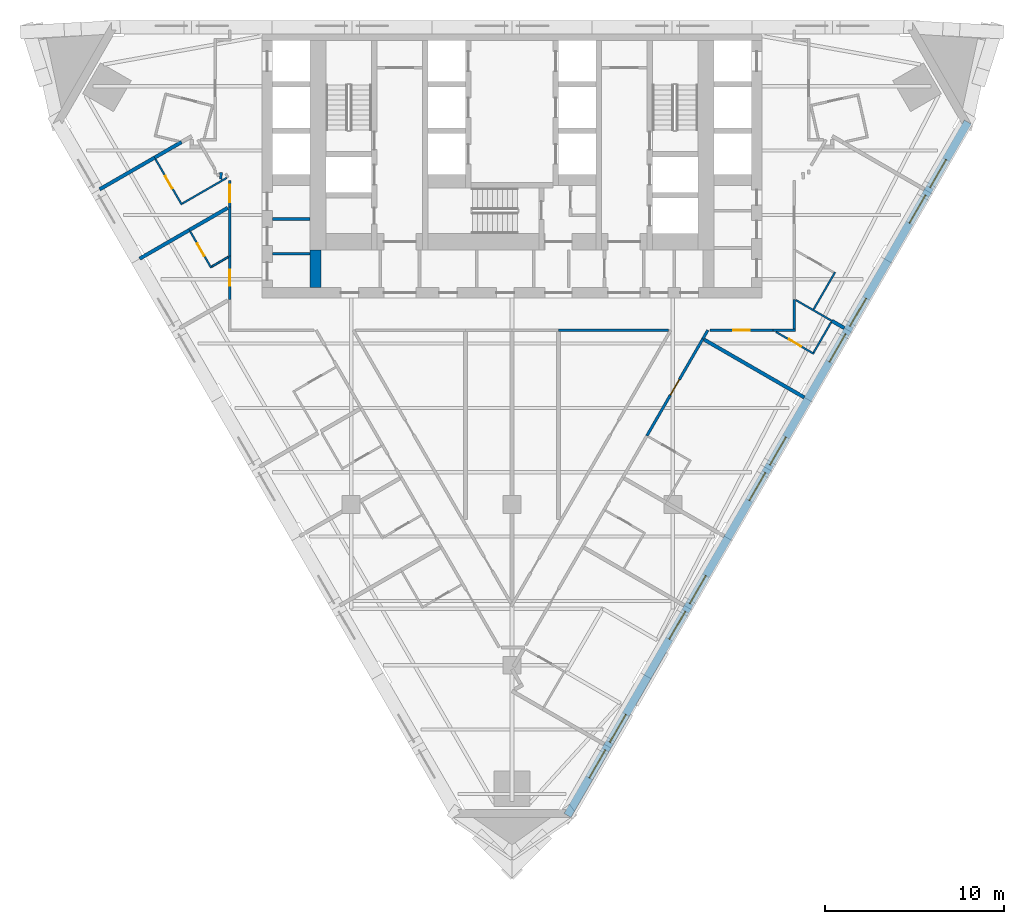
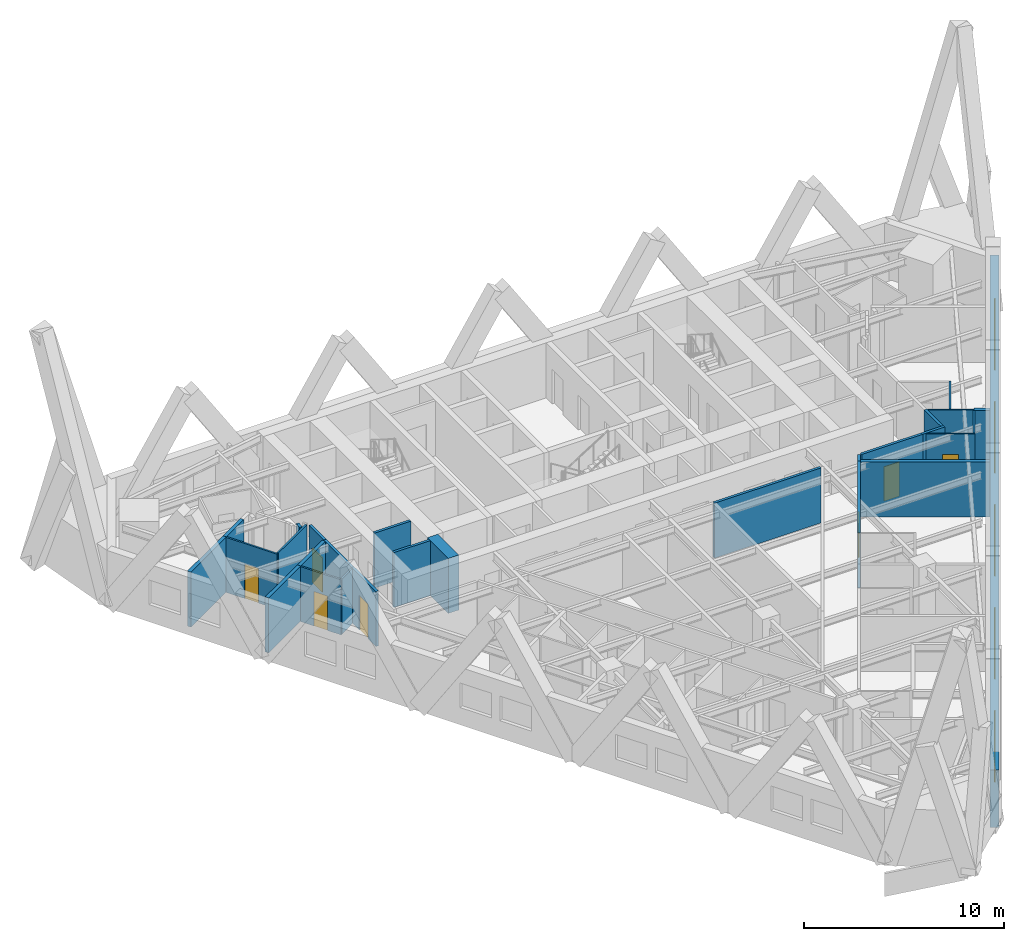
# One storey, part 5 of 11: 28 walls, 10 windows, 7 doors, 17 openings.
"""IFC4 building model written with IfcOpenShell, lengths in metres."""

from ifc_helpers import new_model, si_unit, direction, frame, frame_2d, origin, place, context, subcontext, project, spatial, polyline, rectangle, outline, extrude, material, layer, layer_set, type_object, element, fill, save


model = new_model("IFC4")

# Units and contexts
model_context = context("Model", 3, precision=1e-05, world=origin(), true_north=direction((0.0, 1.0)))
body_context = subcontext(model_context, "Body", "Model", "MODEL_VIEW")
ifc_project = project(units=[si_unit("LENGTHUNIT", "METRE"), si_unit("AREAUNIT", "SQUARE_METRE"), si_unit("VOLUMEUNIT", "CUBIC_METRE"), si_unit("PLANEANGLEUNIT", "RADIAN"), si_unit("MASSUNIT", "GRAM", prefix="KILO")], contexts=[model_context])

# Site, building, storey
site_placement = place(None, origin())
site = spatial("IfcSite", under=ifc_project, at=site_placement, CompositionType="ELEMENT")
building_placement = place(site_placement, origin())
building = spatial("IfcBuilding", under=site, at=building_placement, Name="Aloe Facet Convention Tower", CompositionType="ELEMENT")
storey_placement = place(building_placement, frame((0.0, 0.0, 63.0)))
storey = spatial("IfcBuildingStorey", under=building, at=storey_placement, Name="L14", CompositionType="ELEMENT", Elevation=63.0)

# Walls
ifc_material_1 = material(Name="Concrete blockwork partition", Category="masonry")
ifc_layer_1 = layer(ifc_material_1, 0.14990234375)
ifc_layer_set_1 = layer_set([ifc_layer_1], Name="CR-W-PART150")
wall_type_1 = type_object("IfcWallType", Name="CR-W-PART150", PredefinedType="PARTITIONING", material=ifc_layer_set_1)
for number, where, z_axis, x_axis, name in (
    (1, (66.60009765625, 123.97509765625, 0.0), (0.0, 0.0, 1.0), (1.0, 0.0, 0.0), "Core partition L14-007"),
    (2, (66.60009765625, 122.02490234375, 0.0), (0.0, 0.0, 1.0), (1.0, 0.0, 0.0), "Core partition L14-008"),
):
    element("IfcWall", number, at=place(storey_placement, frame(where, z_axis=z_axis, x_axis=x_axis)), inside=storey, type_object=wall_type_1, Name=name, PredefinedType="PARTITIONING", context=body_context, shape_type="SweptSolid", body=[
        extrude(rectangle(XDim=2.099853515625, YDim=0.14990234375, at=frame_2d((1.0498046875, 0.0))), origin(), (0.0, 0.0, 1.0), 3.35009765625),
    ])
ifc_material_2 = material(Name="Concrete C80/95", Category="concrete")
ifc_layer_2 = layer(ifc_material_2, 0.60009765625)
ifc_layer_set_2 = layer_set([ifc_layer_2], Name="CR-W-RC600-C8095")
wall_type_2 = type_object("IfcWallType", Name="CR-W-RC600-C8095", PredefinedType="SOLIDWALL", material=ifc_layer_set_2)
wall_1_placement = place(storey_placement, frame((69.0, 122.25, 0.0), z_axis=(0.0, 0.0, 1.0), x_axis=(0.0, -1.0, 0.0)))
element("IfcWall", 3, at=wall_1_placement, inside=storey, type_object=wall_type_2, Name="Core wall L14-010", PredefinedType="SOLIDWALL", context=body_context, shape_type="SweptSolid", body=[
    extrude(rectangle(XDim=2.10009765625, YDim=0.60009765625, at=frame_2d((1.050048828125, 0.0))), origin(), (0.0, 0.0, 1.0), 3.35009765625),
])

# Wall, openings, windows
ifc_material_3 = material(Name="Precast concrete C40/50", Category="concrete")
ifc_layer_3 = layer(ifc_material_3, 0.449951171875)
ifc_layer_set_3 = layer_set([ifc_layer_3], Name="EV-WALL-STONE")
wall_type_3 = type_object("IfcWallType", Name="EV-WALL-STONE", PredefinedType="SOLIDWALL", material=ifc_layer_set_3)
wall_2_placement = place(storey_placement, frame((83.105224609375, 90.598876953125, -0.14990234375), z_axis=(0.0, 0.0, 1.0), x_axis=(0.499999201451, 0.866025864826, 0.0)))
wall_2 = element("IfcWall", 4, at=wall_2_placement, inside=storey, type_object=wall_type_3, Name="EW-L14-E01", PredefinedType="SOLIDWALL", context=body_context, shape_type="SweptSolid", body=[
    extrude(outline(polyline([(44.800048828125, 0.0), (44.800048828125, 3.5), (0.0, 3.5), (0.0, 0.0), (44.800048828125, 0.0)])), frame((0.0, 0.22509765625, 0.0), z_axis=(0.0, -1.0, 0.0), x_axis=(1.0, 0.0, 0.0)), (0.0, 0.0, 1.0), 0.449951171875),
])
opening_1_placement = place(wall_2_placement, frame((2.429931640625, 0.0, 1.050048828125)))
opening_1 = element("IfcOpeningElement", 5, at=opening_1_placement, cuts=wall_2, Name="Opening W-L14-E01", PredefinedType="OPENING", context=body_context, shape_type="SweptSolid", body=[
    extrude(rectangle(XDim=1.800048828125, YDim=1.5, at=frame_2d((0.89990234375, 0.75))), frame((0.0, 0.23486328125, 0.0), z_axis=(0.0, -1.0, 0.0), x_axis=(1.0, 0.0, 0.0)), (0.0, 0.0, 1.0), 0.469970703125),
])
opening_2_placement = place(wall_2_placement, frame((4.72998046875, 0.0, 1.050048828125)))
opening_2 = element("IfcOpeningElement", 6, at=opening_2_placement, cuts=wall_2, Name="Opening W-L14-E02", PredefinedType="OPENING", context=body_context, shape_type="SweptSolid", body=[
    extrude(rectangle(XDim=1.800048828125, YDim=1.5, at=frame_2d((0.89990234375, 0.75))), frame((0.0, 0.23486328125, 0.0), z_axis=(0.0, -1.0, 0.0), x_axis=(1.0, 0.0, 0.0)), (0.0, 0.0, 1.0), 0.469970703125),
])
opening_3_placement = place(wall_2_placement, frame((11.389892578125, 0.0, 1.050048828125)))
opening_3 = element("IfcOpeningElement", 7, at=opening_3_placement, cuts=wall_2, Name="Opening W-L14-E03", PredefinedType="OPENING", context=body_context, shape_type="SweptSolid", body=[
    extrude(rectangle(XDim=1.800048828125, YDim=1.5, at=frame_2d((0.89990234375, 0.75))), frame((0.0, 0.23486328125, 0.0), z_axis=(0.0, -1.0, 0.0), x_axis=(1.0, 0.0, 0.0)), (0.0, 0.0, 1.0), 0.469970703125),
])
opening_4_placement = place(wall_2_placement, frame((13.68994140625, 0.0, 1.050048828125)))
opening_4 = element("IfcOpeningElement", 8, at=opening_4_placement, cuts=wall_2, Name="Opening W-L14-E04", PredefinedType="OPENING", context=body_context, shape_type="SweptSolid", body=[
    extrude(rectangle(XDim=1.800048828125, YDim=1.5, at=frame_2d((0.89990234375, 0.75))), frame((0.0, 0.23486328125, 0.0), z_axis=(0.0, -1.0, 0.0), x_axis=(1.0, 0.0, 0.0)), (0.0, 0.0, 1.0), 0.469970703125),
])
opening_5_placement = place(wall_2_placement, frame((20.35009765625, 0.0, 1.050048828125)))
opening_5 = element("IfcOpeningElement", 9, at=opening_5_placement, cuts=wall_2, Name="Opening W-L14-E05", PredefinedType="OPENING", context=body_context, shape_type="SweptSolid", body=[
    extrude(rectangle(XDim=1.800048828125, YDim=1.5, at=frame_2d((0.89990234375, 0.75))), frame((0.0, 0.23486328125, 0.0), z_axis=(0.0, -1.0, 0.0), x_axis=(1.0, 0.0, 0.0)), (0.0, 0.0, 1.0), 0.469970703125),
])
opening_6_placement = place(wall_2_placement, frame((22.64990234375, 0.0, 1.050048828125)))
opening_6 = element("IfcOpeningElement", 10, at=opening_6_placement, cuts=wall_2, Name="Opening W-L14-E06", PredefinedType="OPENING", context=body_context, shape_type="SweptSolid", body=[
    extrude(rectangle(XDim=1.800048828125, YDim=1.5, at=frame_2d((0.89990234375, 0.75))), frame((0.0, 0.23486328125, 0.0), z_axis=(0.0, -1.0, 0.0), x_axis=(1.0, 0.0, 0.0)), (0.0, 0.0, 1.0), 0.469970703125),
])
opening_7_placement = place(wall_2_placement, frame((29.31005859375, 0.0, 1.050048828125)))
opening_7 = element("IfcOpeningElement", 11, at=opening_7_placement, cuts=wall_2, Name="Opening W-L14-E07", PredefinedType="OPENING", context=body_context, shape_type="SweptSolid", body=[
    extrude(rectangle(XDim=1.800048828125, YDim=1.5, at=frame_2d((0.89990234375, 0.75))), frame((0.0, 0.23486328125, 0.0), z_axis=(0.0, -1.0, 0.0), x_axis=(1.0, 0.0, 0.0)), (0.0, 0.0, 1.0), 0.469970703125),
])
opening_8_placement = place(wall_2_placement, frame((31.610107421875, 0.0, 1.050048828125)))
opening_8 = element("IfcOpeningElement", 12, at=opening_8_placement, cuts=wall_2, Name="Opening W-L14-E08", PredefinedType="OPENING", context=body_context, shape_type="SweptSolid", body=[
    extrude(rectangle(XDim=1.800048828125, YDim=1.5, at=frame_2d((0.89990234375, 0.75))), frame((0.0, 0.23486328125, 0.0), z_axis=(0.0, -1.0, 0.0), x_axis=(1.0, 0.0, 0.0)), (0.0, 0.0, 1.0), 0.469970703125),
])
opening_9_placement = place(wall_2_placement, frame((38.27001953125, 0.0, 1.050048828125)))
opening_9 = element("IfcOpeningElement", 13, at=opening_9_placement, cuts=wall_2, Name="Opening W-L14-E09", PredefinedType="OPENING", context=body_context, shape_type="SweptSolid", body=[
    extrude(rectangle(XDim=1.800048828125, YDim=1.5, at=frame_2d((0.89990234375, 0.75))), frame((0.0, 0.23486328125, 0.0), z_axis=(0.0, -1.0, 0.0), x_axis=(1.0, 0.0, 0.0)), (0.0, 0.0, 1.0), 0.469970703125),
])
opening_10_placement = place(wall_2_placement, frame((40.570068359375, 0.0, 1.050048828125)))
opening_10 = element("IfcOpeningElement", 14, at=opening_10_placement, cuts=wall_2, Name="Opening W-L14-E10", PredefinedType="OPENING", context=body_context, shape_type="SweptSolid", body=[
    extrude(rectangle(XDim=1.800048828125, YDim=1.5, at=frame_2d((0.89990234375, 0.75))), frame((0.0, 0.23486328125, 0.0), z_axis=(0.0, -1.0, 0.0), x_axis=(1.0, 0.0, 0.0)), (0.0, 0.0, 1.0), 0.469970703125),
])
ifc_material_4 = material(Name="Aluminium frame, clear double glazing", Category="aluminium")
window_type = type_object("IfcWindowType", Name="EV-WIN-H18", PartitioningType="SINGLE_PANEL", PredefinedType="WINDOW", material=ifc_material_4)
window_1_placement = place(opening_1_placement, origin())
window_1 = element("IfcWindow", 15, at=window_1_placement, inside=storey, type_object=window_type, Name="W-L14-E01", OverallHeight=1.5, OverallWidth=1.800048828125, PartitioningType="SINGLE_PANEL", PredefinedType="WINDOW", context=body_context, shape_type="SweptSolid", body=[
    extrude(rectangle(XDim=1.800048828125, YDim=1.5, at=frame_2d((0.89990234375, 0.75))), frame((0.0, 0.030029296875, 0.0), z_axis=(0.0, -1.0, 0.0), x_axis=(1.0, 0.0, 0.0)), (0.0, 0.0, 1.0), 0.06005859375),
])
fill(opening_1, window_1)
window_2_placement = place(opening_2_placement, origin())
window_2 = element("IfcWindow", 16, at=window_2_placement, inside=storey, type_object=window_type, Name="W-L14-E02", OverallHeight=1.5, OverallWidth=1.800048828125, PartitioningType="SINGLE_PANEL", PredefinedType="WINDOW", context=body_context, shape_type="SweptSolid", body=[
    extrude(rectangle(XDim=1.800048828125, YDim=1.5, at=frame_2d((0.89990234375, 0.75))), frame((0.0, 0.030029296875, 0.0), z_axis=(0.0, -1.0, 0.0), x_axis=(1.0, 0.0, 0.0)), (0.0, 0.0, 1.0), 0.06005859375),
])
fill(opening_2, window_2)
window_3_placement = place(opening_3_placement, origin())
window_3 = element("IfcWindow", 17, at=window_3_placement, inside=storey, type_object=window_type, Name="W-L14-E03", OverallHeight=1.5, OverallWidth=1.800048828125, PartitioningType="SINGLE_PANEL", PredefinedType="WINDOW", context=body_context, shape_type="SweptSolid", body=[
    extrude(rectangle(XDim=1.800048828125, YDim=1.5, at=frame_2d((0.89990234375, 0.75))), frame((0.0, 0.030029296875, 0.0), z_axis=(0.0, -1.0, 0.0), x_axis=(1.0, 0.0, 0.0)), (0.0, 0.0, 1.0), 0.06005859375),
])
fill(opening_3, window_3)
window_4_placement = place(opening_4_placement, origin())
window_4 = element("IfcWindow", 18, at=window_4_placement, inside=storey, type_object=window_type, Name="W-L14-E04", OverallHeight=1.5, OverallWidth=1.800048828125, PartitioningType="SINGLE_PANEL", PredefinedType="WINDOW", context=body_context, shape_type="SweptSolid", body=[
    extrude(rectangle(XDim=1.800048828125, YDim=1.5, at=frame_2d((0.89990234375, 0.75))), frame((0.0, 0.030029296875, 0.0), z_axis=(0.0, -1.0, 0.0), x_axis=(1.0, 0.0, 0.0)), (0.0, 0.0, 1.0), 0.06005859375),
])
fill(opening_4, window_4)
window_5_placement = place(opening_5_placement, origin())
window_5 = element("IfcWindow", 19, at=window_5_placement, inside=storey, type_object=window_type, Name="W-L14-E05", OverallHeight=1.5, OverallWidth=1.800048828125, PartitioningType="SINGLE_PANEL", PredefinedType="WINDOW", context=body_context, shape_type="SweptSolid", body=[
    extrude(rectangle(XDim=1.800048828125, YDim=1.5, at=frame_2d((0.89990234375, 0.75))), frame((0.0, 0.030029296875, 0.0), z_axis=(0.0, -1.0, 0.0), x_axis=(1.0, 0.0, 0.0)), (0.0, 0.0, 1.0), 0.06005859375),
])
fill(opening_5, window_5)
window_6_placement = place(opening_6_placement, origin())
window_6 = element("IfcWindow", 20, at=window_6_placement, inside=storey, type_object=window_type, Name="W-L14-E06", OverallHeight=1.5, OverallWidth=1.800048828125, PartitioningType="SINGLE_PANEL", PredefinedType="WINDOW", context=body_context, shape_type="SweptSolid", body=[
    extrude(rectangle(XDim=1.800048828125, YDim=1.5, at=frame_2d((0.89990234375, 0.75))), frame((0.0, 0.030029296875, 0.0), z_axis=(0.0, -1.0, 0.0), x_axis=(1.0, 0.0, 0.0)), (0.0, 0.0, 1.0), 0.06005859375),
])
fill(opening_6, window_6)
window_7_placement = place(opening_7_placement, origin())
window_7 = element("IfcWindow", 21, at=window_7_placement, inside=storey, type_object=window_type, Name="W-L14-E07", OverallHeight=1.5, OverallWidth=1.800048828125, PartitioningType="SINGLE_PANEL", PredefinedType="WINDOW", context=body_context, shape_type="SweptSolid", body=[
    extrude(rectangle(XDim=1.800048828125, YDim=1.5, at=frame_2d((0.89990234375, 0.75))), frame((0.0, 0.030029296875, 0.0), z_axis=(0.0, -1.0, 0.0), x_axis=(1.0, 0.0, 0.0)), (0.0, 0.0, 1.0), 0.06005859375),
])
fill(opening_7, window_7)
window_8_placement = place(opening_8_placement, origin())
window_8 = element("IfcWindow", 22, at=window_8_placement, inside=storey, type_object=window_type, Name="W-L14-E08", OverallHeight=1.5, OverallWidth=1.800048828125, PartitioningType="SINGLE_PANEL", PredefinedType="WINDOW", context=body_context, shape_type="SweptSolid", body=[
    extrude(rectangle(XDim=1.800048828125, YDim=1.5, at=frame_2d((0.89990234375, 0.75))), frame((0.0, 0.030029296875, 0.0), z_axis=(0.0, -1.0, 0.0), x_axis=(1.0, 0.0, 0.0)), (0.0, 0.0, 1.0), 0.06005859375),
])
fill(opening_8, window_8)
window_9_placement = place(opening_9_placement, origin())
window_9 = element("IfcWindow", 23, at=window_9_placement, inside=storey, type_object=window_type, Name="W-L14-E09", OverallHeight=1.5, OverallWidth=1.800048828125, PartitioningType="SINGLE_PANEL", PredefinedType="WINDOW", context=body_context, shape_type="SweptSolid", body=[
    extrude(rectangle(XDim=1.800048828125, YDim=1.5, at=frame_2d((0.89990234375, 0.75))), frame((0.0, 0.030029296875, 0.0), z_axis=(0.0, -1.0, 0.0), x_axis=(1.0, 0.0, 0.0)), (0.0, 0.0, 1.0), 0.06005859375),
])
fill(opening_9, window_9)
window_10_placement = place(opening_10_placement, origin())
window_10 = element("IfcWindow", 24, at=window_10_placement, inside=storey, type_object=window_type, Name="W-L14-E10", OverallHeight=1.5, OverallWidth=1.800048828125, PartitioningType="SINGLE_PANEL", PredefinedType="WINDOW", context=body_context, shape_type="SweptSolid", body=[
    extrude(rectangle(XDim=1.800048828125, YDim=1.5, at=frame_2d((0.89990234375, 0.75))), frame((0.0, 0.030029296875, 0.0), z_axis=(0.0, -1.0, 0.0), x_axis=(1.0, 0.0, 0.0)), (0.0, 0.0, 1.0), 0.06005859375),
])
fill(opening_10, window_10)

# Wall, opening, door
ifc_material_5 = material(Name="Gypsum board partition on steel studs", Category="steel")
ifc_layer_4 = layer(ifc_material_5, 0.14990234375)
ifc_layer_set_4 = layer_set([ifc_layer_4], Name="IN-W-CORR")
wall_type_4 = type_object("IfcWallType", Name="IN-W-CORR", PredefinedType="PARTITIONING", material=ifc_layer_set_4)
wall_3_placement = place(storey_placement, frame((87.5478515625, 111.84375, 0.0), z_axis=(0.0, 0.0, 1.0), x_axis=(0.499981277565, 0.866036212918, 0.0)))
wall_3 = element("IfcWall", 25, at=wall_3_placement, inside=storey, type_object=wall_type_4, Name="Partition L14-W059", PredefinedType="PARTITIONING", context=body_context, shape_type="SweptSolid", body=[
    extrude(rectangle(XDim=6.260009765625, YDim=0.14990234375, at=frame_2d((3.1298828125, 0.0))), origin(), (0.0, 0.0, 1.0), 3.35009765625),
])
opening_11_placement = place(wall_3_placement, frame((2.6298828125, 0.0, 0.0)))
opening_11 = element("IfcOpeningElement", 26, at=opening_11_placement, cuts=wall_3, Name="Opening L14-011", PredefinedType="OPENING", context=body_context, shape_type="SweptSolid", body=[
    extrude(rectangle(XDim=1.0, YDim=2.10009765625, at=frame_2d((0.5, 1.050048828125))), frame((0.0, 0.0849609375, 0.0), z_axis=(0.0, -1.0, 0.0), x_axis=(1.0, 0.0, 0.0)), (0.0, 0.0, 1.0), 0.169921875),
])
ifc_material_6 = material(Name="Hardwood flush door FD30S", Category="wood")
door_type_1 = type_object("IfcDoorType", Name="IN-D-WIDE", OperationType="SINGLE_SWING_LEFT", PredefinedType="DOOR", material=ifc_material_6)
door_1_placement = place(opening_11_placement, origin())
door_1 = element("IfcDoor", 27, at=door_1_placement, inside=storey, type_object=door_type_1, Name="Door L14-011", OperationType="SINGLE_SWING_LEFT", OverallHeight=2.10009765625, OverallWidth=1.0, PredefinedType="DOOR", context=body_context, shape_type="SweptSolid", body=[
    extrude(rectangle(XDim=1.0, YDim=2.10009765625, at=frame_2d((0.5, 1.050048828125))), frame((0.0, 0.02490234375, 0.0), z_axis=(0.0, -1.0, 0.0), x_axis=(1.0, 0.0, 0.0)), (0.0, 0.0, 1.0), 0.050048828125),
])
fill(opening_11, door_1)

# Walls
wall_4_placement = place(storey_placement, frame((82.60107421875, 117.75, 0.0), z_axis=(0.0, 0.0, 1.0), x_axis=(1.0, 0.0, 0.0)))
element("IfcWall", 28, at=wall_4_placement, inside=storey, type_object=wall_type_4, Name="Partition L14-W066", PredefinedType="PARTITIONING", context=body_context, shape_type="SweptSolid", body=[
    extrude(rectangle(XDim=6.1484375, YDim=0.14990234375, at=frame_2d((3.07421875, 0.0))), origin(), (0.0, 0.0, 1.0), 3.35009765625),
])
wall_5_placement = place(storey_placement, frame((90.677734375, 117.26513671875, 0.0), z_axis=(0.0, 0.0, 1.0), x_axis=(0.50012503653, 0.865953201874, 0.0)))
element("IfcWall", 29, at=wall_5_placement, inside=storey, type_object=wall_type_4, Name="Partition L14-W067", PredefinedType="PARTITIONING", context=body_context, shape_type="SweptSolid", body=[
    extrude(rectangle(XDim=0.559814453125, YDim=0.14990234375, at=frame_2d((0.27978515625, 0.0))), origin(), (0.0, 0.0, 1.0), 3.35009765625),
])
wall_6_placement = place(storey_placement, frame((94.597900390625, 117.75, 0.0), z_axis=(0.0, 0.0, 1.0), x_axis=(1.0, 0.0, 0.0)))
element("IfcWall", 30, at=wall_6_placement, inside=storey, type_object=wall_type_4, Name="Partition L14-W068", PredefinedType="PARTITIONING", context=body_context, shape_type="SweptSolid", body=[
    extrude(rectangle(XDim=1.277099609375, YDim=0.14990234375, at=frame_2d((0.638671875, 0.0))), origin(), (0.0, 0.0, 1.0), 3.35009765625),
])

# Wall, opening, door
wall_7_placement = place(storey_placement, frame((91.087646484375, 117.75, 0.0), z_axis=(0.0, 0.0, 1.0), x_axis=(1.0, 0.0, 0.0)))
wall_7 = element("IfcWall", 31, at=wall_7_placement, inside=storey, type_object=wall_type_4, Name="Partition L14-W069", PredefinedType="PARTITIONING", context=body_context, shape_type="SweptSolid", body=[
    extrude(rectangle(XDim=3.51025390625, YDim=0.14990234375, at=frame_2d((1.755126953125, 0.0))), origin(), (0.0, 0.0, 1.0), 3.35009765625),
])
opening_12_placement = place(wall_7_placement, frame((1.30517578125, 0.0, 0.0)))
opening_12 = element("IfcOpeningElement", 32, at=opening_12_placement, cuts=wall_7, Name="Opening L14-012", PredefinedType="OPENING", context=body_context, shape_type="SweptSolid", body=[
    extrude(rectangle(XDim=0.89990234375, YDim=2.10009765625, at=frame_2d((0.449951171875, 1.050048828125))), frame((0.0, 0.0849609375, 0.0), z_axis=(0.0, -1.0, 0.0), x_axis=(1.0, 0.0, 0.0)), (0.0, 0.0, 1.0), 0.169921875),
])
ifc_material_7 = material(Name="Hardwood flush door FD30S", Category="wood")
door_type_2 = type_object("IfcDoorType", Name="IN-D-GUEST", OperationType="SINGLE_SWING_LEFT", PredefinedType="DOOR", material=ifc_material_7)
door_2_placement = place(opening_12_placement, origin())
door_2 = element("IfcDoor", 33, at=door_2_placement, inside=storey, type_object=door_type_2, Name="Door L14-012", OperationType="SINGLE_SWING_LEFT", OverallHeight=2.10009765625, OverallWidth=0.89990234375, PredefinedType="DOOR", context=body_context, shape_type="SweptSolid", body=[
    extrude(rectangle(XDim=0.89990234375, YDim=2.10009765625, at=frame_2d((0.449951171875, 1.050048828125))), frame((0.0, 0.02490234375, 0.0), z_axis=(0.0, -1.0, 0.0), x_axis=(1.0, 0.0, 0.0)), (0.0, 0.0, 1.0), 0.050048828125),
])
fill(opening_12, door_2)

# Wall
wall_8_placement = place(storey_placement, frame((95.800048828125, 117.824951171875, 0.0), z_axis=(0.0, 0.0, 1.0), x_axis=(0.0, 1.0, 0.0)))
element("IfcWall", 34, at=wall_8_placement, inside=storey, type_object=wall_type_4, Name="Partition L14-W070", PredefinedType="PARTITIONING", context=body_context, shape_type="SweptSolid", body=[
    extrude(rectangle(XDim=1.65576171875, YDim=0.14990234375, at=frame_2d((0.827880859375, 0.0))), origin(), (0.0, 0.0, 1.0), 3.35009765625),
])

# Wall, opening, door
wall_9_placement = place(storey_placement, frame((64.199951171875, 119.46923828125, 0.0), z_axis=(0.0, 0.0, 1.0), x_axis=(0.0, 1.0, 0.0)))
wall_9 = element("IfcWall", 35, at=wall_9_placement, inside=storey, type_object=wall_type_4, Name="Partition L14-W076", PredefinedType="PARTITIONING", context=body_context, shape_type="SweptSolid", body=[
    extrude(rectangle(XDim=2.4248046875, YDim=0.14990234375, at=frame_2d((1.21240234375, 0.0))), origin(), (0.0, 0.0, 1.0), 3.35009765625),
])
opening_13_placement = place(wall_9_placement, frame((0.762451171875, 0.0, 0.0)))
opening_13 = element("IfcOpeningElement", 36, at=opening_13_placement, cuts=wall_9, Name="Opening L14-004", PredefinedType="OPENING", context=body_context, shape_type="SweptSolid", body=[
    extrude(rectangle(XDim=0.89990234375, YDim=2.10009765625, at=frame_2d((0.449951171875, 1.050048828125))), frame((0.0, 0.0849609375, 0.0), z_axis=(0.0, -1.0, 0.0), x_axis=(1.0, 0.0, 0.0)), (0.0, 0.0, 1.0), 0.169921875),
])
door_3_placement = place(opening_13_placement, origin())
door_3 = element("IfcDoor", 37, at=door_3_placement, inside=storey, type_object=door_type_2, Name="Door L14-004", OperationType="SINGLE_SWING_LEFT", OverallHeight=2.10009765625, OverallWidth=0.89990234375, PredefinedType="DOOR", context=body_context, shape_type="SweptSolid", body=[
    extrude(rectangle(XDim=0.89990234375, YDim=2.10009765625, at=frame_2d((0.449951171875, 1.050048828125))), frame((0.0, 0.02490234375, 0.0), z_axis=(0.0, -1.0, 0.0), x_axis=(1.0, 0.0, 0.0)), (0.0, 0.0, 1.0), 0.050048828125),
])
fill(opening_13, door_3)

wall_10_placement = place(storey_placement, frame((64.199951171875, 124.65380859375, 0.0), z_axis=(0.0, 0.0, 1.0), x_axis=(0.0, 1.0, 0.0)))
wall_10 = element("IfcWall", 38, at=wall_10_placement, inside=storey, type_object=wall_type_4, Name="Partition L14-W087", PredefinedType="PARTITIONING", context=body_context, shape_type="SweptSolid", body=[
    extrude(rectangle(XDim=1.483154296875, YDim=0.14990234375, at=frame_2d((0.74169921875, 0.0))), origin(), (0.0, 0.0, 1.0), 3.35009765625),
])
opening_14_placement = place(wall_10_placement, frame((0.241455078125, 0.0, 0.0)))
opening_14 = element("IfcOpeningElement", 39, at=opening_14_placement, cuts=wall_10, Name="Opening L14-003", PredefinedType="OPENING", context=body_context, shape_type="SweptSolid", body=[
    extrude(rectangle(XDim=1.0, YDim=2.10009765625, at=frame_2d((0.5, 1.050048828125))), frame((0.0, 0.0849609375, 0.0), z_axis=(0.0, -1.0, 0.0), x_axis=(1.0, 0.0, 0.0)), (0.0, 0.0, 1.0), 0.169921875),
])
door_4_placement = place(opening_14_placement, origin())
door_4 = element("IfcDoor", 40, at=door_4_placement, inside=storey, type_object=door_type_1, Name="Door L14-003", OperationType="SINGLE_SWING_LEFT", OverallHeight=2.10009765625, OverallWidth=1.0, PredefinedType="DOOR", context=body_context, shape_type="SweptSolid", body=[
    extrude(rectangle(XDim=1.0, YDim=2.10009765625, at=frame_2d((0.5, 1.050048828125))), frame((0.0, 0.02490234375, 0.0), z_axis=(0.0, -1.0, 0.0), x_axis=(1.0, 0.0, 0.0)), (0.0, 0.0, 1.0), 0.050048828125),
])
fill(opening_14, door_4)

# Walls
wall_11_placement = place(storey_placement, frame((64.199951171875, 121.89404296875, 0.0), z_axis=(0.0, 0.0, 1.0), x_axis=(0.0, 1.0, 0.0)))
element("IfcWall", 41, at=wall_11_placement, inside=storey, type_object=wall_type_4, Name="Partition L14-W088", PredefinedType="PARTITIONING", context=body_context, shape_type="SweptSolid", body=[
    extrude(rectangle(XDim=2.759765625, YDim=0.14990234375, at=frame_2d((1.3798828125, 0.0))), origin(), (0.0, 0.0, 1.0), 3.35009765625),
])
wall_12_placement = place(storey_placement, frame((63.702880859375, 126.196044921875, 0.0), z_axis=(0.0, 0.0, 1.0), x_axis=(0.048910464365, 0.998803167033, 0.0)))
element("IfcWall", 42, at=wall_12_placement, inside=storey, type_object=wall_type_4, Name="Partition L14-W093", PredefinedType="PARTITIONING", context=body_context, shape_type="SweptSolid", body=[
    extrude(rectangle(XDim=0.37939453125, YDim=0.14990234375, at=frame_2d((0.189697265625, 0.0))), origin(), (0.0, 0.0, 1.0), 3.35009765625),
])

# Wall, opening, door
ifc_material_8 = material(Name="Gypsum board partition on steel studs", Category="steel")
ifc_layer_5 = layer(ifc_material_8, 0.10009765625)
ifc_layer_set_5 = layer_set([ifc_layer_5], Name="IN-W-PART")
wall_type_5 = type_object("IfcWallType", Name="IN-W-PART", PredefinedType="PARTITIONING", material=ifc_layer_set_5)
wall_13_placement = place(storey_placement, frame((94.775390625, 117.6474609375, 0.0), z_axis=(0.0, 0.0, 1.0), x_axis=(0.86604092097, -0.499973122483, 0.0)))
wall_13 = element("IfcWall", 43, at=wall_13_placement, inside=storey, type_object=wall_type_5, Name="Partition L14-W058", PredefinedType="PARTITIONING", context=body_context, shape_type="SweptSolid", body=[
    extrude(rectangle(XDim=2.445068359375, YDim=0.10009765625, at=frame_2d((1.22265625, 0.0))), origin(), (0.0, 0.0, 1.0), 3.35009765625),
])
opening_15_placement = place(wall_13_placement, frame((0.822509765625, 0.0, 0.0)))
opening_15 = element("IfcOpeningElement", 44, at=opening_15_placement, cuts=wall_13, Name="Opening L14-029", PredefinedType="OPENING", context=body_context, shape_type="SweptSolid", body=[
    extrude(rectangle(XDim=0.800048828125, YDim=2.10009765625, at=frame_2d((0.39990234375, 1.050048828125))), frame((0.0, 0.06005859375, 0.0), z_axis=(0.0, -1.0, 0.0), x_axis=(1.0, 0.0, 0.0)), (0.0, 0.0, 1.0), 0.1201171875),
])
ifc_material_9 = material(Name="Timber flush door", Category="wood")
door_type_3 = type_object("IfcDoorType", Name="IN-D-BATH", OperationType="SINGLE_SWING_LEFT", PredefinedType="DOOR", material=ifc_material_9)
door_5_placement = place(opening_15_placement, origin())
door_5 = element("IfcDoor", 45, at=door_5_placement, inside=storey, type_object=door_type_3, Name="Door L14-029", OperationType="SINGLE_SWING_LEFT", OverallHeight=2.10009765625, OverallWidth=0.800048828125, PredefinedType="DOOR", context=body_context, shape_type="SweptSolid", body=[
    extrude(rectangle(XDim=0.800048828125, YDim=2.10009765625, at=frame_2d((0.39990234375, 1.050048828125))), frame((0.0, 0.02490234375, 0.0), z_axis=(0.0, -1.0, 0.0), x_axis=(1.0, 0.0, 0.0)), (0.0, 0.0, 1.0), 0.050048828125),
])
fill(opening_15, door_5)

# Walls
wall_14_placement = place(storey_placement, frame((96.87451171875, 116.493408203125, 0.0), z_axis=(0.0, 0.0, 1.0), x_axis=(0.500043961785, 0.866000020948, 0.0)))
element("IfcWall", 46, at=wall_14_placement, inside=storey, type_object=wall_type_5, Name="Partition L14-W073", PredefinedType="PARTITIONING", context=body_context, shape_type="SweptSolid", body=[
    extrude(rectangle(XDim=1.949951171875, YDim=0.10009765625, at=frame_2d((0.97509765625, 0.0))), origin(), (0.0, 0.0, 1.0), 3.35009765625),
])
wall_15_placement = place(storey_placement, frame((95.88232421875, 119.433349609375, 0.0), z_axis=(0.0, 0.0, 1.0), x_axis=(0.866009305107, -0.50002788269, 0.0)))
element("IfcWall", 47, at=wall_15_placement, inside=storey, type_object=wall_type_5, Name="Partition L14-W077", PredefinedType="PARTITIONING", context=body_context, shape_type="SweptSolid", body=[
    extrude(rectangle(XDim=2.329345703125, YDim=0.10009765625, at=frame_2d((1.16455078125, 0.0))), origin(), (0.0, 0.0, 1.0), 3.35009765625),
])
wall_16_placement = place(storey_placement, frame((96.876708984375, 118.9169921875, 0.0), z_axis=(0.0, 0.0, 1.0), x_axis=(0.500001309137, 0.866024647952, 0.0)))
element("IfcWall", 48, at=wall_16_placement, inside=storey, type_object=wall_type_5, Name="Partition L14-W081", PredefinedType="PARTITIONING", context=body_context, shape_type="SweptSolid", body=[
    extrude(rectangle(XDim=2.39990234375, YDim=0.10009765625, at=frame_2d((1.199951171875, 0.0))), origin(), (0.0, 0.0, 1.0), 3.35009765625),
])

# Wall, opening, door
wall_17_placement = place(storey_placement, frame((62.00341796875, 123.258544921875, 0.0), z_axis=(0.0, 0.0, 1.0), x_axis=(0.499999433879, -0.866025730634, 0.0)))
wall_17 = element("IfcWall", 49, at=wall_17_placement, inside=storey, type_object=wall_type_5, Name="Partition L14-W082", PredefinedType="PARTITIONING", context=body_context, shape_type="SweptSolid", body=[
    extrude(rectangle(XDim=2.33984375, YDim=0.10009765625, at=frame_2d((1.169921875, 0.0))), origin(), (0.0, 0.0, 1.0), 3.35009765625),
])
opening_16_placement = place(wall_17_placement, frame((0.77001953125, 0.0, 0.0)))
opening_16 = element("IfcOpeningElement", 50, at=opening_16_placement, cuts=wall_17, Name="Opening L14-021", PredefinedType="OPENING", context=body_context, shape_type="SweptSolid", body=[
    extrude(rectangle(XDim=0.800048828125, YDim=2.10009765625, at=frame_2d((0.39990234375, 1.050048828125))), frame((0.0, 0.06005859375, 0.0), z_axis=(0.0, -1.0, 0.0), x_axis=(1.0, 0.0, 0.0)), (0.0, 0.0, 1.0), 0.1201171875),
])
door_6_placement = place(opening_16_placement, origin())
door_6 = element("IfcDoor", 51, at=door_6_placement, inside=storey, type_object=door_type_3, Name="Door L14-021", OperationType="SINGLE_SWING_LEFT", OverallHeight=2.10009765625, OverallWidth=0.800048828125, PredefinedType="DOOR", context=body_context, shape_type="SweptSolid", body=[
    extrude(rectangle(XDim=0.800048828125, YDim=2.10009765625, at=frame_2d((0.39990234375, 1.050048828125))), frame((0.0, 0.02490234375, 0.0), z_axis=(0.0, -1.0, 0.0), x_axis=(1.0, 0.0, 0.0)), (0.0, 0.0, 1.0), 0.050048828125),
])
fill(opening_16, door_6)

# Wall
wall_18_placement = place(storey_placement, frame((63.199951171875, 121.305908203125, 0.0), z_axis=(0.0, 0.0, 1.0), x_axis=(0.86196956313, 0.506960030216, 0.0)))
element("IfcWall", 52, at=wall_18_placement, inside=storey, type_object=wall_type_5, Name="Partition L14-W084", PredefinedType="PARTITIONING", context=body_context, shape_type="SweptSolid", body=[
    extrude(rectangle(XDim=1.065185546875, YDim=0.10009765625, at=frame_2d((0.53271484375, 0.0))), origin(), (0.0, 0.0, 1.0), 3.35009765625),
])

# Wall, opening, door
wall_19_placement = place(storey_placement, frame((60.05908203125, 127.30908203125, 0.0), z_axis=(0.0, 0.0, 1.0), x_axis=(0.499988418424, -0.866032090307, 0.0)))
wall_19 = element("IfcWall", 53, at=wall_19_placement, inside=storey, type_object=wall_type_5, Name="Partition L14-W089", PredefinedType="PARTITIONING", context=body_context, shape_type="SweptSolid", body=[
    extrude(rectangle(XDim=2.93994140625, YDim=0.10009765625, at=frame_2d((1.469970703125, 0.0))), origin(), (0.0, 0.0, 1.0), 3.35009765625),
])
opening_17_placement = place(wall_19_placement, frame((1.070068359375, 0.0, 0.0)))
opening_17 = element("IfcOpeningElement", 54, at=opening_17_placement, cuts=wall_19, Name="Opening L14-020", PredefinedType="OPENING", context=body_context, shape_type="SweptSolid", body=[
    extrude(rectangle(XDim=0.800048828125, YDim=2.10009765625, at=frame_2d((0.39990234375, 1.050048828125))), frame((0.0, 0.06005859375, 0.0), z_axis=(0.0, -1.0, 0.0), x_axis=(1.0, 0.0, 0.0)), (0.0, 0.0, 1.0), 0.1201171875),
])
door_7_placement = place(opening_17_placement, origin())
door_7 = element("IfcDoor", 55, at=door_7_placement, inside=storey, type_object=door_type_3, Name="Door L14-020", OperationType="SINGLE_SWING_LEFT", OverallHeight=2.10009765625, OverallWidth=0.800048828125, PredefinedType="DOOR", context=body_context, shape_type="SweptSolid", body=[
    extrude(rectangle(XDim=0.800048828125, YDim=2.10009765625, at=frame_2d((0.39990234375, 1.050048828125))), frame((0.0, 0.02490234375, 0.0), z_axis=(0.0, -1.0, 0.0), x_axis=(1.0, 0.0, 0.0)), (0.0, 0.0, 1.0), 0.050048828125),
])
fill(opening_17, door_7)

# Walls
wall_20_placement = place(storey_placement, frame((61.55615234375, 124.83642578125, 0.0), z_axis=(0.0, 0.0, 1.0), x_axis=(0.866026637627, 0.499997862916, 0.0)))
element("IfcWall", 56, at=wall_20_placement, inside=storey, type_object=wall_type_5, Name="Partition L14-W095", PredefinedType="PARTITIONING", context=body_context, shape_type="SweptSolid", body=[
    extrude(rectangle(XDim=2.86474609375, YDim=0.10009765625, at=frame_2d((1.432373046875, 0.0))), origin(), (0.0, 0.0, 1.0), 3.35009765625),
])
ifc_material_10 = material(Name="Gypsum board partition on steel studs", Category="steel")
ifc_layer_6 = layer(ifc_material_10, 0.199951171875)
ifc_layer_set_6 = layer_set([ifc_layer_6], Name="IN-W-PARTY")
wall_type_6 = type_object("IfcWallType", Name="IN-W-PARTY", PredefinedType="PARTITIONING", material=ifc_layer_set_6)
wall_21_placement = place(storey_placement, frame((90.75146484375, 117.22265625, 0.0), z_axis=(0.0, 0.0, 1.0), x_axis=(0.866015162859, -0.500017737384, 0.0)))
element("IfcWall", 57, at=wall_21_placement, inside=storey, type_object=wall_type_6, Name="Partition L14-W054", PredefinedType="PARTITIONING", context=body_context, shape_type="SweptSolid", body=[
    extrude(rectangle(XDim=6.465087890625, YDim=0.199951171875, at=frame_2d((3.232421875, 0.0))), origin(), (0.0, 0.0, 1.0), 3.35009765625),
])
wall_22_placement = place(storey_placement, frame((97.899658203125, 118.2685546875, 0.0), z_axis=(0.0, 0.0, 1.0), x_axis=(0.866068339032, -0.499925626596, 0.0)))
element("IfcWall", 58, at=wall_22_placement, inside=storey, type_object=wall_type_6, Name="Partition L14-W072", PredefinedType="PARTITIONING", context=body_context, shape_type="SweptSolid", body=[
    extrude(rectangle(XDim=0.79736328125, YDim=0.199951171875, at=frame_2d((0.398681640625, 0.0))), origin(), (0.0, 0.0, 1.0), 3.35009765625),
])
wall_23_placement = place(storey_placement, frame((59.169677734375, 121.749755859375, 0.0), z_axis=(0.0, 0.0, 1.0), x_axis=(0.866019585306, 0.500010077765, 0.0)))
element("IfcWall", 59, at=wall_23_placement, inside=storey, type_object=wall_type_6, Name="Partition L14-W083", PredefinedType="PARTITIONING", context=body_context, shape_type="SweptSolid", body=[
    extrude(rectangle(XDim=3.20849609375, YDim=0.199951171875, at=frame_2d((1.604248046875, 0.0))), origin(), (0.0, 0.0, 1.0), 3.35009765625),
])
wall_24_placement = place(storey_placement, frame((61.9482421875, 123.35400390625, 0.0), z_axis=(0.0, 0.0, 1.0), x_axis=(0.866073894602, 0.499916002032, 0.0)))
element("IfcWall", 60, at=wall_24_placement, inside=storey, type_object=wall_type_6, Name="Partition L14-W086", PredefinedType="PARTITIONING", context=body_context, shape_type="SweptSolid", body=[
    extrude(rectangle(XDim=2.47509765625, YDim=0.199951171875, at=frame_2d((1.237548828125, 0.0))), origin(), (0.0, 0.0, 1.0), 3.35009765625),
])
wall_25_placement = place(storey_placement, frame((56.9296875, 125.62939453125, 0.0), z_axis=(0.0, 0.0, 1.0), x_axis=(0.866012656725, 0.500022077904, 0.0)))
element("IfcWall", 61, at=wall_25_placement, inside=storey, type_object=wall_type_6, Name="Partition L14-W090", PredefinedType="PARTITIONING", context=body_context, shape_type="SweptSolid", body=[
    extrude(rectangle(XDim=3.550048828125, YDim=0.199951171875, at=frame_2d((1.77490234375, 0.0))), origin(), (0.0, 0.0, 1.0), 3.35009765625),
])
wall_26_placement = place(storey_placement, frame((60.004150390625, 127.404541015625, 0.0), z_axis=(0.0, 0.0, 1.0), x_axis=(0.866066362288, 0.499929051079, 0.0)))
element("IfcWall", 62, at=wall_26_placement, inside=storey, type_object=wall_type_6, Name="Partition L14-W107", PredefinedType="PARTITIONING", context=body_context, shape_type="SweptSolid", body=[
    extrude(rectangle(XDim=1.739013671875, YDim=0.199951171875, at=frame_2d((0.86962890625, 0.0))), origin(), (0.0, 0.0, 1.0), 3.35009765625),
])

save(model, "model.ifc")
